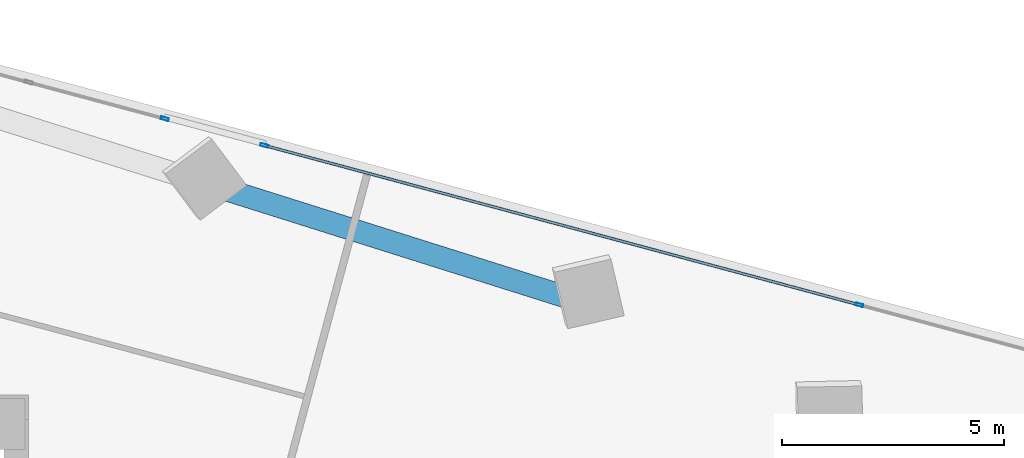
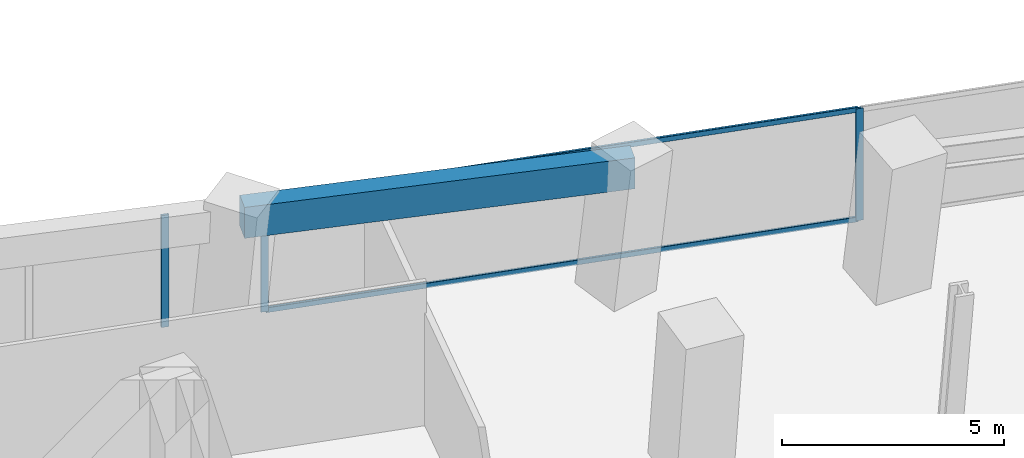
# One storey, part 18 of 27: 5 members, 1 beam, 2 elements without a shape of their own.
"""IFC4 building model written with IfcOpenShell, lengths in metres."""

from ifc_helpers import new_model, si_unit, direction, frame, origin, origin_2d, place, context, subcontext, project, spatial, rectangle, hollow_rectangle, extrude, source, transform, mapped, material, material_profile, profile_set, type_object, element, aggregate, save


model = new_model("IFC4")

# Units and contexts
model_context = context("Model", 3, precision=1e-05, world=origin(), true_north=direction((0.0, 1.0)))
body_context = subcontext(model_context, "Body", "Model", "MODEL_VIEW")
ifc_project = project(units=[si_unit("LENGTHUNIT", "METRE"), si_unit("AREAUNIT", "SQUARE_METRE"), si_unit("VOLUMEUNIT", "CUBIC_METRE"), si_unit("PLANEANGLEUNIT", "RADIAN"), si_unit("MASSUNIT", "GRAM", prefix="KILO")], contexts=[model_context])

# Site, building, storey
site_placement = place(None, origin())
site = spatial("IfcSite", under=ifc_project, at=site_placement, CompositionType="ELEMENT")
building_placement = place(site_placement, origin())
building = spatial("IfcBuilding", under=site, at=building_placement, Name="Torre Montelarca", CompositionType="ELEMENT")
storey_placement = place(building_placement, frame((0.0, 0.0, 108.39990234375)))
storey = spatial("IfcBuildingStorey", under=building, at=storey_placement, Name="L24", CompositionType="ELEMENT", Elevation=108.39990234375)

# Beam
ifc_material_1 = material(Name="Concrete C55/67", Category="concrete")
ifc_material_profile_1 = material_profile(ifc_material_1, rectangle(XDim=0.5, YDim=0.85009765625, at=origin_2d()), Name="RCB500X850", Category="concrete")
ifc_profile_set_1 = profile_set([ifc_material_profile_1], Name="Concrete C55/67")
beam_type = type_object("IfcBeamType", Name="BM-SP-RC850-EXT", PredefinedType="SPANDREL", material=ifc_profile_set_1)
shared_shape_1 = source(origin(), body_context, "Body", "SweptSolid", [
    extrude(rectangle(XDim=0.5, YDim=0.85009765625, at=origin_2d()), origin(), (0.0, 0.0, 1.0), 9.0),
])
beam_placement = place(storey_placement, frame((31.301025390625, 44.794921875, 3.53515625), z_axis=(0.953719088711, -0.300699018669, 0.0), x_axis=(0.300699018669, 0.953719088711, 0.0)))
element("IfcBeam", 1, at=beam_placement, inside=storey, type_object=beam_type, Name="L24 Grid Girder X 27.0-36.0 at Y=47.1", PredefinedType="SPANDREL", context=body_context, shape_type="MappedRepresentation", body=[
    mapped(shared_shape_1, transform((0.0, 0.0, 0.0), scale=1.0)),
])

# Curtain wall, members
ifc_material_2 = material(Name="Insulated low-E laminated glass", Category="glass")
curtain_wall_type = type_object("IfcCurtainWallType", Name="CW-SYS-Z1", PredefinedType="USERDEFINED", material=ifc_material_2)
curtain_wall_1_placement = place(storey_placement, origin())
curtain_wall_1 = element("IfcCurtainWall", 2, at=curtain_wall_1_placement, inside=storey, type_object=curtain_wall_type, Name="L24 Curtain Wall Run CW-T3-L24-E08-B1", ObjectType="UNITISED GLAZING", PredefinedType="USERDEFINED")
ifc_material_3 = material(Name="Anodised aluminium AA 6063-T6", Category="aluminium")
ifc_material_profile_2 = material_profile(ifc_material_3, hollow_rectangle(XDim=0.06494140625, YDim=0.139892578125, WallThickness=0.00390625, InnerFilletRadius=0.00390625, OuterFilletRadius=0.008056640625, at=origin_2d()), Name="ALU65X140X4", Category="aluminium")
ifc_profile_set_2 = profile_set([ifc_material_profile_2], Name="Anodised aluminium AA 6063-T6")
member_type_1 = type_object("IfcMemberType", Name="CWT-ALU140", PredefinedType="USERDEFINED", material=ifc_profile_set_2)
shared_shape_2 = source(origin(), body_context, "Body", "SweptSolid", [
    extrude(hollow_rectangle(XDim=0.06494140625, YDim=0.139892578125, WallThickness=0.00390625, InnerFilletRadius=0.00390625, OuterFilletRadius=0.008056640625, at=origin_2d()), origin(), (0.0, 0.0, 1.0), 13.7900390625),
])
member_1_placement = place(storey_placement, frame((45.76416015625, 42.13525390625, 0.03271484375), z_axis=(-0.965921577114, 0.258834902718, 0.0), x_axis=(-0.258834902718, -0.965921577114, 0.0)))
member_1 = element("IfcMember", 3, at=member_1_placement, type_object=member_type_1, Name="CW transom 2.1", ObjectType="TRANSOM", PredefinedType="USERDEFINED", context=body_context, shape_type="MappedRepresentation", body=[
    mapped(shared_shape_2, transform((0.0, 0.0, 0.0), scale=1.0)),
])
member_2_placement = place(storey_placement, frame((45.76416015625, 42.13525390625, 3.04248046875), z_axis=(-0.965921577114, 0.258834902718, 0.0), x_axis=(-0.258834902718, -0.965921577114, 0.0)))
member_2 = element("IfcMember", 4, at=member_2_placement, type_object=member_type_1, Name="CW transom 2.2", ObjectType="TRANSOM", PredefinedType="USERDEFINED", context=body_context, shape_type="MappedRepresentation", body=[
    mapped(shared_shape_2, transform((0.0, 0.0, 0.0), scale=1.0)),
])
ifc_material_profile_3 = material_profile(ifc_material_3, hollow_rectangle(XDim=0.06494140625, YDim=0.179931640625, WallThickness=0.00390625, InnerFilletRadius=0.00390625, OuterFilletRadius=0.008056640625, at=origin_2d()), Name="ALU65X180X4", Category="aluminium")
ifc_profile_set_3 = profile_set([ifc_material_profile_3], Name="Anodised aluminium AA 6063-T6")
member_type_2 = type_object("IfcMemberType", Name="CWM-ALU180", PredefinedType="MULLION", material=ifc_profile_set_3)
shared_shape_3 = source(origin(), body_context, "Body", "SweptSolid", [
    extrude(hollow_rectangle(XDim=0.06494140625, YDim=0.179931640625, WallThickness=0.00390625, InnerFilletRadius=0.00390625, OuterFilletRadius=0.008056640625, at=origin_2d()), origin(), (0.0, 0.0, 1.0), 3.0751953125),
])
member_3_placement = place(storey_placement, frame((45.795654296875, 42.126953125, 0.0), z_axis=(0.0, 0.0, 1.0), x_axis=(-0.258819887947, -0.965925600449, 0.0)))
member_3 = element("IfcMember", 5, at=member_3_placement, type_object=member_type_2, Name="CW mullion 2", PredefinedType="MULLION", context=body_context, shape_type="MappedRepresentation", body=[
    mapped(shared_shape_3, transform((0.0, 0.0, 0.0), scale=1.0)),
])
member_4_placement = place(storey_placement, frame((32.41259765625, 45.712890625, 0.0), z_axis=(0.0, 0.0, 1.0), x_axis=(-0.258819887947, -0.965925600449, 0.0)))
member_4 = element("IfcMember", 6, at=member_4_placement, type_object=member_type_2, Name="CW mullion 3", PredefinedType="MULLION", context=body_context, shape_type="MappedRepresentation", body=[
    mapped(shared_shape_3, transform((0.0, 0.0, 0.0), scale=1.0)),
])
aggregate(curtain_wall_1, [member_3, member_4, member_1, member_2])

# Curtain wall, member
curtain_wall_2_placement = place(storey_placement, origin())
curtain_wall_2 = element("IfcCurtainWall", 7, at=curtain_wall_2_placement, inside=storey, type_object=curtain_wall_type, Name="L24 Curtain Wall Run CW-T3-L24-E08-B2", ObjectType="UNITISED GLAZING", PredefinedType="USERDEFINED")
member_5_placement = place(storey_placement, frame((30.1669921875, 46.314697265625, 0.0), z_axis=(0.0, 0.0, 1.0), x_axis=(-0.258826610554, -0.965923799101, 0.0)))
member_5 = element("IfcMember", 8, at=member_5_placement, type_object=member_type_2, Name="CW mullion 1", PredefinedType="MULLION", context=body_context, shape_type="MappedRepresentation", body=[
    mapped(shared_shape_3, transform((0.0, 0.0, 0.0), scale=1.0)),
])
aggregate(curtain_wall_2, [member_5])

save(model, "model.ifc")
